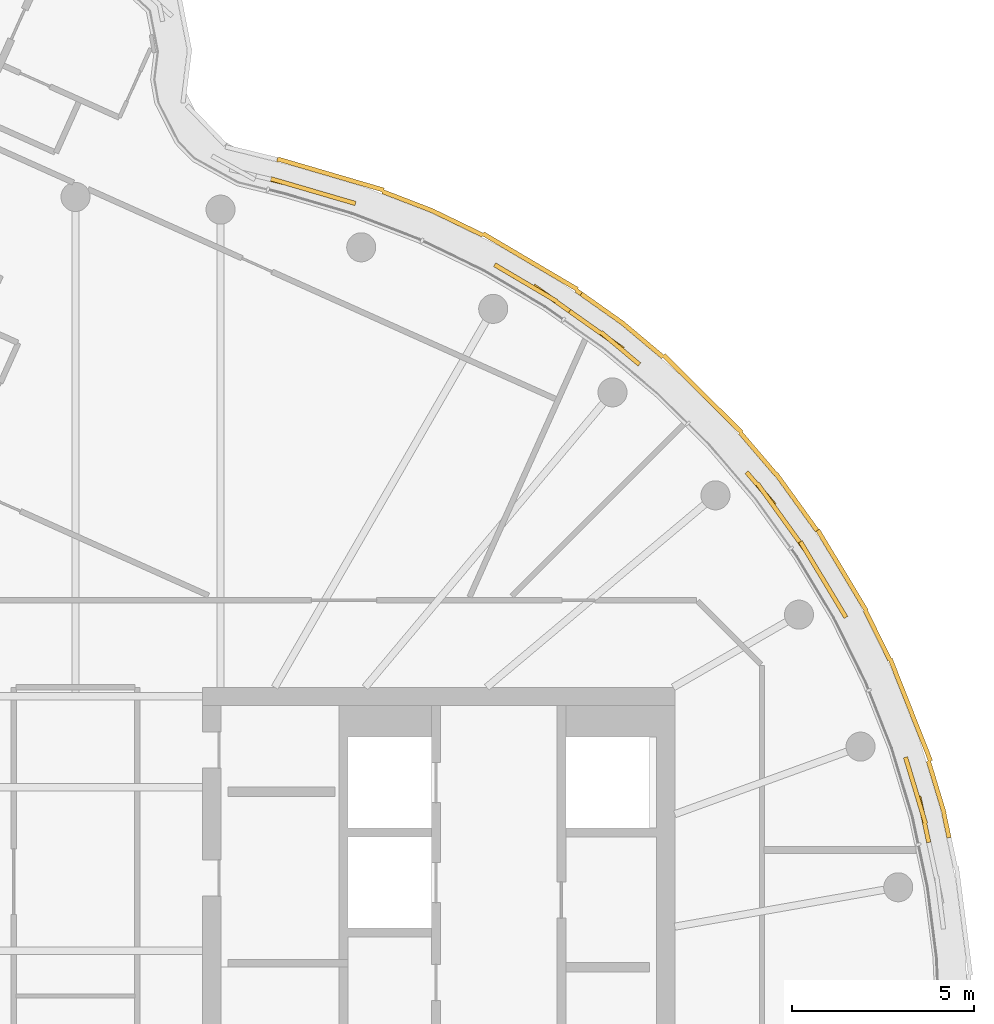
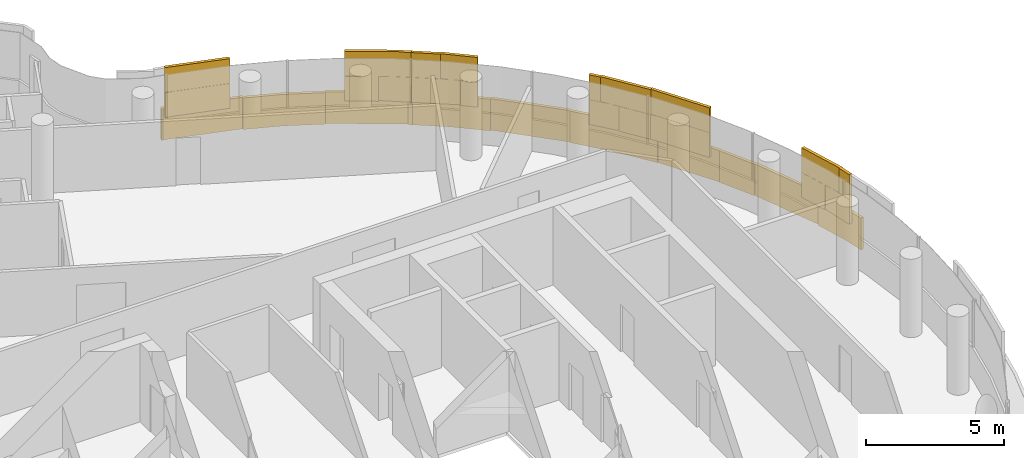
# One storey, part 20 of 21: 3 coverings.
"""IFC4 building model written with IfcOpenShell, lengths in metres."""

from ifc_helpers import new_model, si_unit, direction, frame, origin, origin_2d, place, context, subcontext, project, spatial, rectangle, extrude, material, layer, layer_set, type_object, element, save


model = new_model("IFC4")

# Units and contexts
model_context = context("Model", 3, precision=1e-05, world=origin(), true_north=direction((0.0, 1.0)))
body_context = subcontext(model_context, "Body", "Model", "MODEL_VIEW")
ifc_project = project(units=[si_unit("LENGTHUNIT", "METRE"), si_unit("AREAUNIT", "SQUARE_METRE"), si_unit("VOLUMEUNIT", "CUBIC_METRE"), si_unit("PLANEANGLEUNIT", "RADIAN"), si_unit("MASSUNIT", "GRAM", prefix="KILO")], contexts=[model_context])

# Site, building, storey
site_placement = place(None, origin())
site = spatial("IfcSite", under=ifc_project, at=site_placement, CompositionType="ELEMENT")
building_placement = place(site_placement, origin())
building = spatial("IfcBuilding", under=site, at=building_placement, Name="Tamarind Cross Interchange Tower", CompositionType="ELEMENT")
storey_placement = place(building_placement, frame((0.0, 0.0, 271.199951171875)))
storey = spatial("IfcBuildingStorey", under=building, at=storey_placement, Name="L69", CompositionType="ELEMENT", Elevation=271.199951171875)

# Coverings
ifc_material = material(Name="Terracotta", Category="masonry")
ifc_layer = layer(ifc_material, 0.1201171875)
ifc_layer_set = layer_set([ifc_layer], Name="Terracotta")
covering_type = type_object("IfcCoveringType", Name="Terracotta baguette screen unit", PredefinedType="MOLDING", material=ifc_layer_set)
covering_1_placement = place(storey_placement, origin())
element("IfcCovering", 1, at=covering_1_placement, inside=storey, type_object=covering_type, Name="SCR-L69-01-12", PredefinedType="MOLDING", context=body_context, shape_type="SweptSolid", body=[
    extrude(rectangle(XDim=1.29638671875, YDim=0.1201171875, at=origin_2d()), frame((23.35546875, 5.863525390625, 1.40380859375), z_axis=(0.0, 0.0, 1.0), x_axis=(-0.209425419705, 0.977824623121, 0.0)), (0.0, 0.0, 1.0), 1.092041015625),
    extrude(rectangle(XDim=1.14501953125, YDim=0.1201171875, at=origin_2d()), frame((23.01708984375, 7.025634765625, 1.40380859375), z_axis=(0.0, 0.0, 1.0), x_axis=(-0.289458243079, 0.957190642199, 0.0)), (0.0, 0.0, 1.0), 1.092041015625),
    extrude(rectangle(XDim=0.675048828125, YDim=0.1201171875, at=origin_2d()), frame((21.037841796875, 11.713623046875, 1.40380859375), z_axis=(0.0, 0.0, 1.0), x_axis=(-0.515577308909, 0.856843065292, 0.0)), (0.0, 0.0, 1.0), 1.092041015625),
    extrude(rectangle(XDim=1.52001953125, YDim=0.1201171875, at=origin_2d()), frame((20.479736328125, 12.641357421875, 1.40380859375), z_axis=(0.0, 0.0, 1.0), x_axis=(-0.515577308909, 0.856843065292, 0.0)), (0.0, 0.0, 1.0), 1.092041015625),
    extrude(rectangle(XDim=0.266357421875, YDim=0.1201171875, at=origin_2d()), frame((20.01611328125, 13.38671875, 1.40380859375), z_axis=(0.0, 0.0, 1.0), x_axis=(-0.584573890505, 0.811340475102, 0.0)), (0.0, 0.0, 1.0), 1.092041015625),
    extrude(rectangle(XDim=0.54638671875, YDim=0.1201171875, at=origin_2d()), frame((23.433837890625, 5.4970703125, 2.50390625), z_axis=(0.0, 0.0, 1.0), x_axis=(-0.209425419705, 0.977824623121, 0.0)), (0.0, 0.0, 1.0), 1.092041015625),
    extrude(rectangle(XDim=1.52001953125, YDim=0.1201171875, at=origin_2d()), frame((23.181396484375, 6.482421875, 2.50390625), z_axis=(0.0, 0.0, 1.0), x_axis=(-0.289458243079, 0.957190642199, 0.0)), (0.0, 0.0, 1.0), 1.092041015625),
    extrude(rectangle(XDim=0.39501953125, YDim=0.1201171875, at=origin_2d()), frame((22.90869140625, 7.384521484375, 2.50390625), z_axis=(0.0, 0.0, 1.0), x_axis=(-0.289458243079, 0.957190642199, 0.0)), (0.0, 0.0, 1.0), 1.092041015625),
    extrude(rectangle(XDim=1.425048828125, YDim=0.1201171875, at=origin_2d()), frame((20.844482421875, 12.03515625, 2.50390625), z_axis=(0.0, 0.0, 1.0), x_axis=(-0.515577308909, 0.856843065292, 0.0)), (0.0, 0.0, 1.0), 1.092041015625),
    extrude(rectangle(XDim=1.016357421875, YDim=0.1201171875, at=origin_2d()), frame((20.22021484375, 13.072509765625, 2.50390625), z_axis=(0.0, 0.0, 1.0), x_axis=(-0.515577308909, 0.856843065292, 0.0)), (0.0, 0.0, 1.0), 1.092041015625),
    extrude(rectangle(XDim=0.690185546875, YDim=0.1201171875, at=origin_2d()), frame((23.97802734375, 5.697021484375, 0.00390625), z_axis=(0.0, 0.0, 1.0), x_axis=(-0.209425419705, 0.977824623121, 0.0)), (0.0, 0.0, 1.0), 1.39208984375),
    extrude(rectangle(XDim=1.52001953125, YDim=0.1201171875, at=origin_2d()), frame((23.70166015625, 6.745361328125, 0.00390625), z_axis=(0.0, 0.0, 1.0), x_axis=(-0.289458243079, 0.957190642199, 0.0)), (0.0, 0.0, 1.0), 1.39208984375),
    extrude(rectangle(XDim=1.52001953125, YDim=0.1201171875, at=origin_2d()), frame((23.261474609375, 8.178955078125, 0.00390625), z_axis=(0.0, 0.0, 1.0), x_axis=(-0.367513773146, 0.930018078613, 0.0)), (0.0, 0.0, 1.0), 1.39208984375),
    extrude(rectangle(XDim=1.52001953125, YDim=0.1201171875, at=origin_2d()), frame((22.710205078125, 9.573974609375, 0.00390625), z_axis=(0.0, 0.0, 1.0), x_axis=(-0.367513773146, 0.930018078613, 0.0)), (0.0, 0.0, 1.0), 1.39208984375),
    extrude(rectangle(XDim=1.52001953125, YDim=0.1201171875, at=origin_2d()), frame((22.080322265625, 10.934326171875, 0.00390625), z_axis=(0.0, 0.0, 1.0), x_axis=(-0.443058811505, 0.896492548518, 0.0)), (0.0, 0.0, 1.0), 1.39208984375),
    extrude(rectangle(XDim=1.52001953125, YDim=0.1201171875, at=origin_2d()), frame((21.379638671875, 12.25927734375, 0.00390625), z_axis=(0.0, 0.0, 1.0), x_axis=(-0.515577308909, 0.856843065292, 0.0)), (0.0, 0.0, 1.0), 1.39208984375),
    extrude(rectangle(XDim=1.088134765625, YDim=0.1201171875, at=origin_2d()), frame((20.717529296875, 13.359375, 0.00390625), z_axis=(0.0, 0.0, 1.0), x_axis=(-0.515577308909, 0.856843065292, 0.0)), (0.0, 0.0, 1.0), 1.39208984375),
])
covering_2_placement = place(storey_placement, origin())
element("IfcCovering", 2, at=covering_2_placement, inside=storey, type_object=covering_type, Name="SCR-L69-01-13", PredefinedType="MOLDING", context=body_context, shape_type="SweptSolid", body=[
    extrude(rectangle(XDim=1.253662109375, YDim=0.1201171875, at=origin_2d()), frame((19.577880859375, 13.9951171875, 1.40380859375), z_axis=(0.0, 0.0, 1.0), x_axis=(-0.584573890505, 0.811340475102, 0.0)), (0.0, 0.0, 1.0), 1.092041015625),
    extrude(rectangle(XDim=1.18798828125, YDim=0.1201171875, at=origin_2d()), frame((18.86181640625, 14.97119140625, 1.40380859375), z_axis=(0.0, 0.0, 1.0), x_axis=(-0.64957723968, 0.760295606781, 0.0)), (0.0, 0.0, 1.0), 1.092041015625),
    extrude(rectangle(XDim=0.632080078125, YDim=0.1201171875, at=origin_2d()), frame((15.28369140625, 18.5908203125, 1.40380859375), z_axis=(0.0, 0.0, 1.0), x_axis=(-0.765858396687, 0.643009266048, 0.0)), (0.0, 0.0, 1.0), 1.092041015625),
    extrude(rectangle(XDim=1.52001953125, YDim=0.1201171875, at=origin_2d()), frame((14.455322265625, 19.25244140625, 1.40380859375), z_axis=(0.0, 0.0, 1.0), x_axis=(-0.816341886298, 0.577568978284, 0.0)), (0.0, 0.0, 1.0), 1.092041015625),
    extrude(rectangle(XDim=0.3095703125, YDim=0.1201171875, at=origin_2d()), frame((13.720703125, 19.772216796875, 1.40380859375), z_axis=(0.0, 0.0, 1.0), x_axis=(-0.816341886298, 0.577568978284, 0.0)), (0.0, 0.0, 1.0), 1.092041015625),
    extrude(rectangle(XDim=0.503662109375, YDim=0.1201171875, at=origin_2d()), frame((19.797119140625, 13.69091796875, 2.50390625), z_axis=(0.0, 0.0, 1.0), x_axis=(-0.584573890505, 0.811340475102, 0.0)), (0.0, 0.0, 1.0), 1.092041015625),
    extrude(rectangle(XDim=1.52001953125, YDim=0.1201171875, at=origin_2d()), frame((19.21435546875, 14.499755859375, 2.50390625), z_axis=(0.0, 0.0, 1.0), x_axis=(-0.584573890505, 0.811340475102, 0.0)), (0.0, 0.0, 1.0), 1.092041015625),
    extrude(rectangle(XDim=0.43798828125, YDim=0.1201171875, at=origin_2d()), frame((18.6181640625, 15.25634765625, 2.50390625), z_axis=(0.0, 0.0, 1.0), x_axis=(-0.64957723968, 0.760295606781, 0.0)), (0.0, 0.0, 1.0), 1.092041015625),
    extrude(rectangle(XDim=1.382080078125, YDim=0.1201171875, at=origin_2d()), frame((14.99658203125, 18.831787109375, 2.50390625), z_axis=(0.0, 0.0, 1.0), x_axis=(-0.765858396687, 0.643009266048, 0.0)), (0.0, 0.0, 1.0), 1.092041015625),
    extrude(rectangle(XDim=1.0595703125, YDim=0.1201171875, at=origin_2d()), frame((14.02685546875, 19.555419921875, 2.50390625), z_axis=(0.0, 0.0, 1.0), x_axis=(-0.816341886298, 0.577568978284, 0.0)), (0.0, 0.0, 1.0), 1.092041015625),
    extrude(rectangle(XDim=0.431884765625, YDim=0.1201171875, at=origin_2d()), frame((20.290771484375, 13.987548828125, 0.00390625), z_axis=(0.0, 0.0, 1.0), x_axis=(-0.584573890505, 0.811340475102, 0.0)), (0.0, 0.0, 1.0), 1.39208984375),
    extrude(rectangle(XDim=1.52001953125, YDim=0.1201171875, at=origin_2d()), frame((19.73193359375, 14.76318359375, 0.00390625), z_axis=(0.0, 0.0, 1.0), x_axis=(-0.584573890505, 0.811340475102, 0.0)), (0.0, 0.0, 1.0), 1.39208984375),
    extrude(rectangle(XDim=1.52001953125, YDim=0.1201171875, at=origin_2d()), frame((18.794921875, 15.93310546875, 0.00390625), z_axis=(0.0, 0.0, 1.0), x_axis=(-0.64957723968, 0.760295606781, 0.0)), (0.0, 0.0, 1.0), 1.39208984375),
    extrude(rectangle(XDim=1.52001953125, YDim=0.1201171875, at=origin_2d()), frame((17.79736328125, 17.0517578125, 0.00390625), z_axis=(0.0, 0.0, 1.0), x_axis=(-0.710143317658, 0.704057148523, 0.0)), (0.0, 0.0, 1.0), 1.39208984375),
    extrude(rectangle(XDim=1.52001953125, YDim=0.1201171875, at=origin_2d()), frame((16.73193359375, 18.10791015625, 0.00390625), z_axis=(0.0, 0.0, 1.0), x_axis=(-0.710143317658, 0.704057148523, 0.0)), (0.0, 0.0, 1.0), 1.39208984375),
    extrude(rectangle(XDim=1.52001953125, YDim=0.1201171875, at=origin_2d()), frame((15.591796875, 19.08154296875, 0.00390625), z_axis=(0.0, 0.0, 1.0), x_axis=(-0.765858396687, 0.643009266048, 0.0)), (0.0, 0.0, 1.0), 1.39208984375),
    extrude(rectangle(XDim=1.34716796875, YDim=0.1201171875, at=origin_2d()), frame((14.47265625, 19.943359375, 0.00390625), z_axis=(0.0, 0.0, 1.0), x_axis=(-0.816341886298, 0.577568978284, 0.0)), (0.0, 0.0, 1.0), 1.39208984375),
])
covering_3_placement = place(storey_placement, origin())
element("IfcCovering", 3, at=covering_3_placement, inside=storey, type_object=covering_type, Name="SCR-L69-01-14", PredefinedType="MOLDING", context=body_context, shape_type="SweptSolid", body=[
    extrude(rectangle(XDim=1.21044921875, YDim=0.1201171875, at=origin_2d()), frame((13.1083984375, 20.205322265625, 1.40380859375), z_axis=(0.0, 0.0, 1.0), x_axis=(-0.816341886298, 0.577568978284, 0.0)), (0.0, 0.0, 1.0), 1.092041015625),
    extrude(rectangle(XDim=1.227783203125, YDim=0.1201171875, at=origin_2d()), frame((12.068359375, 20.821533203125, 1.40380859375), z_axis=(0.0, 0.0, 1.0), x_axis=(-0.861248933065, 0.508183308752, 0.0)), (0.0, 0.0, 1.0), 1.092041015625),
    extrude(rectangle(XDim=0.59228515625, YDim=0.1201171875, at=origin_2d()), frame((7.424560546875, 22.90185546875, 1.40380859375), z_axis=(0.0, 0.0, 1.0), x_axis=(-0.95964657186, 0.281208920763, 0.0)), (0.0, 0.0, 1.0), 1.092041015625),
    extrude(rectangle(XDim=1.52001953125, YDim=0.1201171875, at=origin_2d()), frame((6.425537109375, 23.194580078125, 1.40380859375), z_axis=(0.0, 0.0, 1.0), x_axis=(-0.95964657186, 0.281208920763, 0.0)), (0.0, 0.0, 1.0), 1.092041015625),
    extrude(rectangle(XDim=0.345703125, YDim=0.1201171875, at=origin_2d()), frame((5.54150390625, 23.440673828125, 1.40380859375), z_axis=(0.0, 0.0, 1.0), x_axis=(-0.971160307945, 0.238427465434, 0.0)), (0.0, 0.0, 1.0), 1.092041015625),
    extrude(rectangle(XDim=0.46044921875, YDim=0.1201171875, at=origin_2d()), frame((13.41455078125, 19.98876953125, 2.50390625), z_axis=(0.0, 0.0, 1.0), x_axis=(-0.816341886298, 0.577568978284, 0.0)), (0.0, 0.0, 1.0), 1.092041015625),
    extrude(rectangle(XDim=1.52001953125, YDim=0.1201171875, at=origin_2d()), frame((12.5927734375, 20.51220703125, 2.50390625), z_axis=(0.0, 0.0, 1.0), x_axis=(-0.861248933065, 0.508183308752, 0.0)), (0.0, 0.0, 1.0), 1.092041015625),
    extrude(rectangle(XDim=0.477783203125, YDim=0.1201171875, at=origin_2d()), frame((11.745361328125, 21.01220703125, 2.50390625), z_axis=(0.0, 0.0, 1.0), x_axis=(-0.861248933065, 0.508183308752, 0.0)), (0.0, 0.0, 1.0), 1.092041015625),
    extrude(rectangle(XDim=1.34228515625, YDim=0.1201171875, at=origin_2d()), frame((7.064697265625, 23.00732421875, 2.50390625), z_axis=(0.0, 0.0, 1.0), x_axis=(-0.95964657186, 0.281208920763, 0.0)), (0.0, 0.0, 1.0), 1.092041015625),
    extrude(rectangle(XDim=1.095703125, YDim=0.1201171875, at=origin_2d()), frame((5.904541015625, 23.34716796875, 2.50390625), z_axis=(0.0, 0.0, 1.0), x_axis=(-0.95964657186, 0.281208920763, 0.0)), (0.0, 0.0, 1.0), 1.092041015625),
    extrude(rectangle(XDim=0.1728515625, YDim=0.1201171875, at=origin_2d()), frame((13.852294921875, 20.38232421875, 0.00390625), z_axis=(0.0, 0.0, 1.0), x_axis=(-0.816341886298, 0.577568978284, 0.0)), (0.0, 0.0, 1.0), 1.39208984375),
    extrude(rectangle(XDim=1.52001953125, YDim=0.1201171875, at=origin_2d()), frame((13.165283203125, 20.840576171875, 0.00390625), z_axis=(0.0, 0.0, 1.0), x_axis=(-0.861248933065, 0.508183308752, 0.0)), (0.0, 0.0, 1.0), 1.39208984375),
    extrude(rectangle(XDim=1.52001953125, YDim=0.1201171875, at=origin_2d()), frame((11.87353515625, 21.60302734375, 0.00390625), z_axis=(0.0, 0.0, 1.0), x_axis=(-0.861248933065, 0.508183308752, 0.0)), (0.0, 0.0, 1.0), 1.39208984375),
    extrude(rectangle(XDim=1.52001953125, YDim=0.1201171875, at=origin_2d()), frame((10.533447265625, 22.275390625, 0.00390625), z_axis=(0.0, 0.0, 1.0), x_axis=(-0.900272776334, 0.435326231914, 0.0)), (0.0, 0.0, 1.0), 1.39208984375),
    extrude(rectangle(XDim=1.52001953125, YDim=0.1201171875, at=origin_2d()), frame((9.16015625, 22.875732421875, 0.00390625), z_axis=(0.0, 0.0, 1.0), x_axis=(-0.933146843667, 0.359495435512, 0.0)), (0.0, 0.0, 1.0), 1.39208984375),
    extrude(rectangle(XDim=1.52001953125, YDim=0.1201171875, at=origin_2d()), frame((7.75634765625, 23.402587890625, 0.00390625), z_axis=(0.0, 0.0, 1.0), x_axis=(-0.95964657186, 0.281208920763, 0.0)), (0.0, 0.0, 1.0), 1.39208984375),
    extrude(rectangle(XDim=1.52001953125, YDim=0.1201171875, at=origin_2d()), frame((6.31689453125, 23.824462890625, 0.00390625), z_axis=(0.0, 0.0, 1.0), x_axis=(-0.95964657186, 0.281208920763, 0.0)), (0.0, 0.0, 1.0), 1.39208984375),
    extrude(rectangle(XDim=0.054931640625, YDim=0.1201171875, at=origin_2d()), frame((5.575927734375, 24.023193359375, 0.00390625), z_axis=(0.0, 0.0, 1.0), x_axis=(-0.971160307945, 0.238427465434, 0.0)), (0.0, 0.0, 1.0), 1.39208984375),
])

save(model, "model.ifc")
